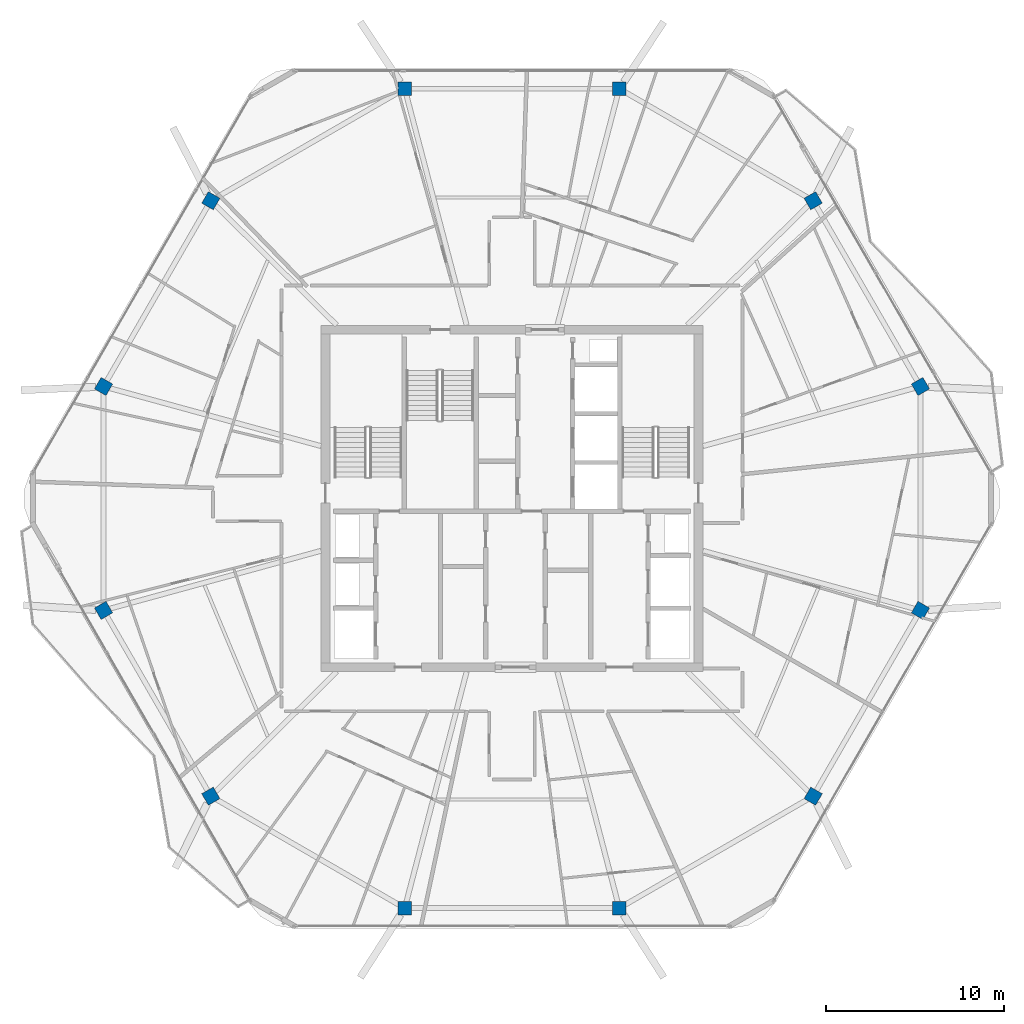
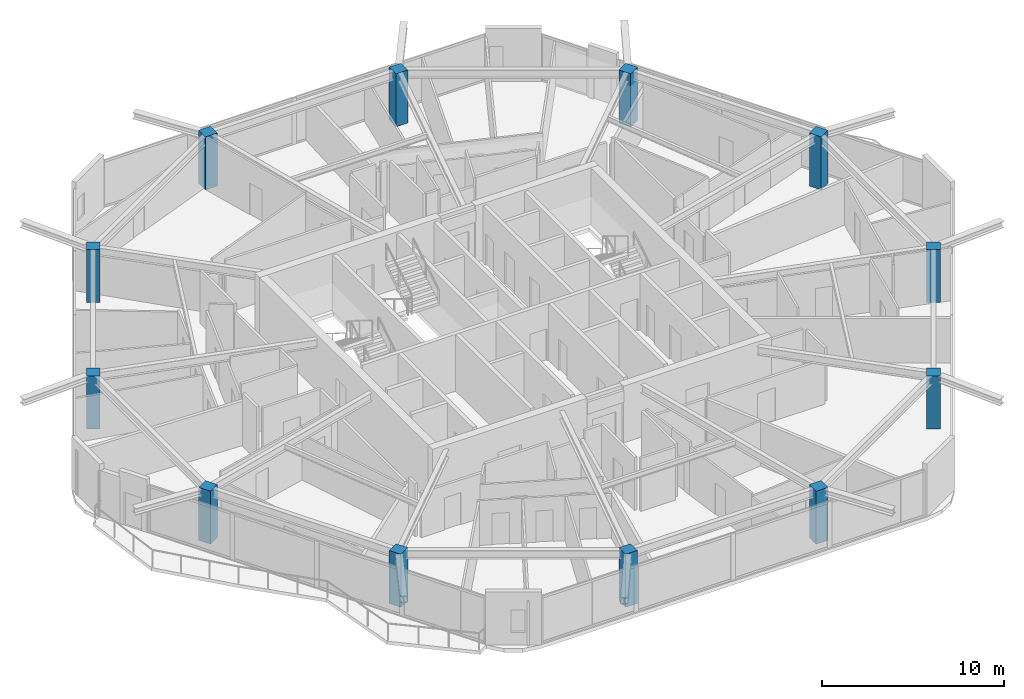
# One storey, part 1 of 18: 12 columns.
"""IFC4 building model written with IfcOpenShell, lengths in metres."""

from ifc_helpers import new_model, si_unit, direction, frame, origin, origin_2d, place, context, subcontext, project, spatial, rectangle, extrude, material, material_profile, profile_set, type_object, element, save


model = new_model("IFC4")

# Units and contexts
model_context = context("Model", 3, precision=1e-05, world=origin(), true_north=direction((0.0, 1.0)))
body_context = subcontext(model_context, "Body", "Model", "MODEL_VIEW")
ifc_project = project(units=[si_unit("LENGTHUNIT", "METRE"), si_unit("AREAUNIT", "SQUARE_METRE"), si_unit("VOLUMEUNIT", "CUBIC_METRE"), si_unit("PLANEANGLEUNIT", "RADIAN"), si_unit("MASSUNIT", "GRAM", prefix="KILO")], contexts=[model_context])

# Site, building, storey
site_placement = place(None, origin())
site = spatial("IfcSite", under=ifc_project, at=site_placement, CompositionType="ELEMENT")
building_placement = place(site_placement, origin())
building = spatial("IfcBuilding", under=site, at=building_placement, Name="Zuhravey Tower", CompositionType="ELEMENT")
storey_placement = place(building_placement, frame((0.0, 0.0, 342.39990234375)))
storey = spatial("IfcBuildingStorey", under=building, at=storey_placement, Name="L87", CompositionType="ELEMENT", Elevation=342.39990234375)

# Columns
ifc_material = material(Name="Concrete C50/60", Category="concrete")
ifc_material_profile = material_profile(ifc_material, rectangle(XDim=0.75, YDim=0.75, at=origin_2d()), Name="RC-750x750")
ifc_profile_set = profile_set([ifc_material_profile], Name="Concrete C50/60")
column_type = type_object("IfcColumnType", Name="Zone 4 Upper Column 750x750", PredefinedType="COLUMN", material=ifc_profile_set)
for number, where, z_axis, x_axis, name in (
    (1, (58.993408203125, 38.302490234375, 0.0), (0.0, 0.0, 1.0), (-0.5, 0.866025403784, 0.0), "L87 Perimeter Column PC01"),
    (2, (52.95458984375, 48.76171875, 0.0), (0.0, 0.0, 1.0), (-0.5, 0.866025403784, 0.0), "L87 Perimeter Column PC02"),
    (3, (42.038818359375, 55.064208984375, 0.0), (0.0, 0.0, 1.0), (-1.0, 0.0, 0.0), "L87 Perimeter Column PC03"),
    (4, (29.961181640625, 55.064208984375, 0.0), (0.0, 0.0, 1.0), (-1.0, 0.0, 0.0), "L87 Perimeter Column PC04"),
    (5, (19.04541015625, 48.76171875, 0.0), (0.0, 0.0, 1.0), (-0.5, -0.866025403784, 0.0), "L87 Perimeter Column PC05"),
    (6, (13.006591796875, 38.302490234375, 0.0), (0.0, 0.0, 1.0), (-0.5, -0.866025403784, 0.0), "L87 Perimeter Column PC06"),
    (7, (13.006591796875, 25.697509765625, 0.0), (0.0, 0.0, 1.0), (0.5, -0.866025403784, 0.0), "L87 Perimeter Column PC07"),
    (8, (19.04541015625, 15.23828125, 0.0), (0.0, 0.0, 1.0), (0.5, -0.866025403784, 0.0), "L87 Perimeter Column PC08"),
    (9, (29.961181640625, 8.935791015625, 0.0), (0.0, 0.0, 1.0), (1.0, 0.0, 0.0), "L87 Perimeter Column PC09"),
    (10, (42.038818359375, 8.935791015625, 0.0), (0.0, 0.0, 1.0), (1.0, 0.0, 0.0), "L87 Perimeter Column PC10"),
    (11, (52.95458984375, 15.23828125, 0.0), (0.0, 0.0, 1.0), (0.5, 0.866025403784, 0.0), "L87 Perimeter Column PC11"),
    (12, (58.993408203125, 25.697509765625, 0.0), (0.0, 0.0, 1.0), (0.5, 0.866025403784, 0.0), "L87 Perimeter Column PC12"),
):
    element("IfcColumn", number, at=place(storey_placement, frame(where, z_axis=z_axis, x_axis=x_axis)), inside=storey, type_object=column_type, Name=name, PredefinedType="COLUMN", context=body_context, shape_type="SweptSolid", body=[
        extrude(rectangle(XDim=0.75, YDim=0.75, at=origin_2d()), origin(), (0.0, 0.0, 1.0), 3.550048828125),
    ])

save(model, "model.ifc")
